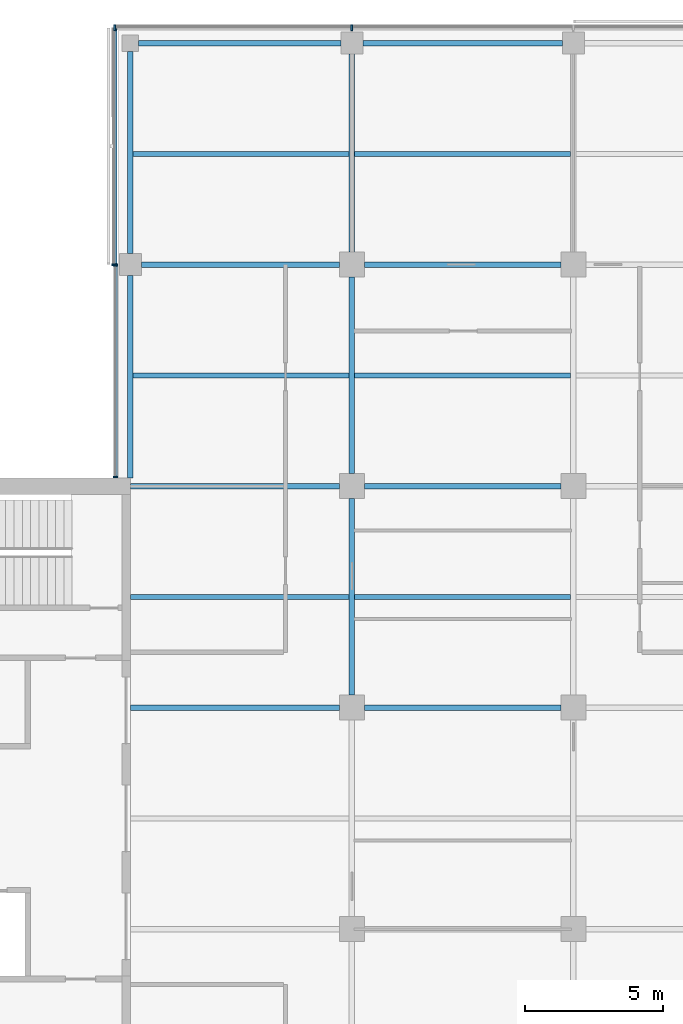
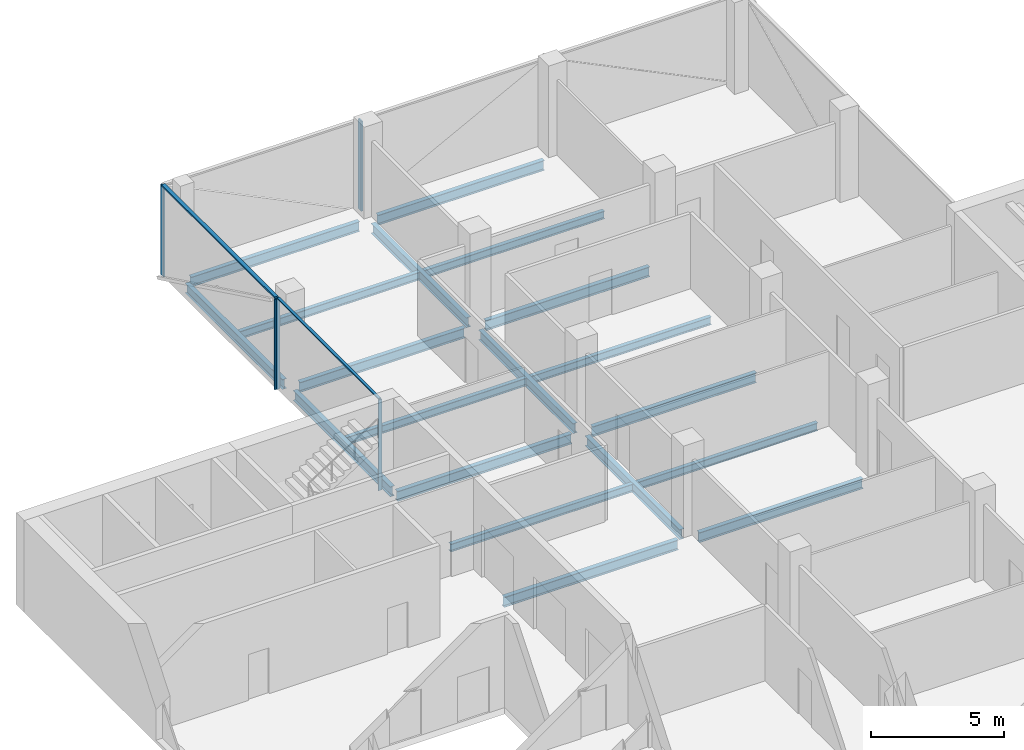
# One storey, part 5 of 15: 19 beams, 7 members, 3 elements without a shape of their own.
"""IFC4 building model written with IfcOpenShell, lengths in metres."""

from ifc_helpers import new_model, si_unit, direction, frame, origin, origin_2d, place, context, subcontext, project, spatial, rectangle, i_section, extrude, material, material_profile, profile_set, type_object, element, aggregate, save


model = new_model("IFC4")

# Units and contexts
model_context = context("Model", 3, precision=1e-05, world=origin(), true_north=direction((0.0, 1.0)))
body_context = subcontext(model_context, "Body", "Model", "MODEL_VIEW")
ifc_project = project(units=[si_unit("LENGTHUNIT", "METRE"), si_unit("AREAUNIT", "SQUARE_METRE"), si_unit("VOLUMEUNIT", "CUBIC_METRE"), si_unit("PLANEANGLEUNIT", "RADIAN"), si_unit("MASSUNIT", "GRAM", prefix="KILO")], contexts=[model_context])

# Site, building, storey
site_placement = place(None, origin())
site = spatial("IfcSite", under=ifc_project, at=site_placement, CompositionType="ELEMENT")
building_placement = place(site_placement, origin())
building = spatial("IfcBuilding", under=site, at=building_placement, Name="Crosswind Convention Tower", CompositionType="ELEMENT")
storey_placement = place(building_placement, frame((0.0, 0.0, 204.10009765625)))
storey = spatial("IfcBuildingStorey", under=building, at=storey_placement, Name="L43", CompositionType="ELEMENT", Elevation=204.10009765625)

# Beams
ifc_material_1 = material(Name="Steel S355", Category="steel")
ifc_material_profile_1 = material_profile(ifc_material_1, i_section(OverallWidth=0.18994140625, OverallDepth=0.45361328125, WebThickness=0.008544921875, FlangeThickness=0.0126953125, FilletRadius=0.01025390625, at=origin_2d()), Name="UB 457x191x67")
ifc_profile_set_1 = profile_set([ifc_material_profile_1], Name="Steel S355")
beam_type_1 = type_object("IfcBeamType", Name="Edge beam UB 457x191x67", PredefinedType="SPANDREL", material=ifc_profile_set_1)
for number, where, z_axis, x_axis, name in (
    (1, (113.0, 112.300048828125, -0.52685546875), (0.0, 1.0, 0.0), (-1.0, 0.0, 0.0), "B16 L43 edge beam 3"),
    (2, (113.0, 120.39990234375, -0.52685546875), (0.0, 1.0, 0.0), (-1.0, 0.0, 0.0), "B16 L43 edge beam 4"),
    (3, (113.300048828125, 128.0, -0.52685546875), (1.0, 0.0, 0.0), (0.0, 1.0, 0.0), "B16 L43 edge beam 6"),
):
    element("IfcBeam", number, at=place(storey_placement, frame(where, z_axis=z_axis, x_axis=x_axis)), inside=storey, type_object=beam_type_1, Name=name, PredefinedType="SPANDREL", context=body_context, shape_type="SweptSolid", body=[
        extrude(i_section(OverallWidth=0.18994140625, OverallDepth=0.45361328125, WebThickness=0.008544921875, FlangeThickness=0.0126953125, FilletRadius=0.01025390625, at=origin_2d()), origin(), (0.0, 0.0, 1.0), 7.300048828125),
    ])
beam_1_placement = place(storey_placement, frame((121.39990234375, 128.0, -0.52685546875), z_axis=(1.0, 0.0, 0.0), x_axis=(0.0, 1.0, 0.0)))
element("IfcBeam", 4, at=beam_1_placement, inside=storey, type_object=beam_type_1, Name="B16 L43 edge beam 8", PredefinedType="SPANDREL", context=body_context, shape_type="SweptSolid", body=[
    extrude(i_section(OverallWidth=0.18994140625, OverallDepth=0.45361328125, WebThickness=0.008544921875, FlangeThickness=0.0126953125, FilletRadius=0.01025390625, at=origin_2d()), origin(), (0.0, 0.0, 1.0), 7.2001953125),
])
ifc_material_profile_2 = material_profile(ifc_material_1, i_section(OverallWidth=0.1904296875, OverallDepth=0.457275390625, WebThickness=0.009033203125, FlangeThickness=0.014404296875, FilletRadius=0.01025390625, at=origin_2d()), Name="UB 457x191x75")
ifc_profile_set_2 = profile_set([ifc_material_profile_2], Name="Steel S355")
beam_type_2 = type_object("IfcBeamType", Name="Girder UB 457x191x75", PredefinedType="BEAM", material=ifc_profile_set_2)
beam_2_placement = place(storey_placement, frame((113.39990234375, 120.0, -0.52880859375), z_axis=(1.0, 0.0, 0.0), x_axis=(0.0, 1.0, 0.0)))
element("IfcBeam", 5, at=beam_2_placement, inside=storey, type_object=beam_type_2, Name="B2 L43 girder 2", PredefinedType="BEAM", context=body_context, shape_type="SweptSolid", body=[
    extrude(i_section(OverallWidth=0.1904296875, OverallDepth=0.457275390625, WebThickness=0.009033203125, FlangeThickness=0.014404296875, FilletRadius=0.01025390625, at=origin_2d()), origin(), (0.0, 0.0, 1.0), 7.150146484375),
])
for number, where, z_axis, x_axis, name in (
    (6, (121.0, 104.449951171875, -0.52880859375), (0.0, 1.0, 0.0), (-1.0, 0.0, 0.0), "B2 L43 girder 7"),
    (7, (121.0, 112.449951171875, -0.52880859375), (0.0, 1.0, 0.0), (-1.0, 0.0, 0.0), "B2 L43 girder 8"),
):
    element("IfcBeam", number, at=place(storey_placement, frame(where, z_axis=z_axis, x_axis=x_axis)), inside=storey, type_object=beam_type_2, Name=name, PredefinedType="BEAM", context=body_context, shape_type="SweptSolid", body=[
        extrude(i_section(OverallWidth=0.1904296875, OverallDepth=0.457275390625, WebThickness=0.009033203125, FlangeThickness=0.014404296875, FilletRadius=0.01025390625, at=origin_2d()), origin(), (0.0, 0.0, 1.0), 7.10009765625),
    ])
beam_3_placement = place(storey_placement, frame((121.0, 120.449951171875, -0.52880859375), z_axis=(0.0, 1.0, 0.0), x_axis=(-1.0, 0.0, 0.0)))
element("IfcBeam", 8, at=beam_3_placement, inside=storey, type_object=beam_type_2, Name="B2 L43 girder 9", PredefinedType="BEAM", context=body_context, shape_type="SweptSolid", body=[
    extrude(i_section(OverallWidth=0.1904296875, OverallDepth=0.457275390625, WebThickness=0.009033203125, FlangeThickness=0.014404296875, FilletRadius=0.01025390625, at=origin_2d()), origin(), (0.0, 0.0, 1.0), 7.150146484375),
])
for number, where, z_axis, x_axis, name in (
    (9, (121.449951171875, 104.0, -0.52880859375), (1.0, 0.0, 0.0), (0.0, 1.0, 0.0), "B2 L43 girder 13"),
    (10, (121.449951171875, 112.0, -0.52880859375), (1.0, 0.0, 0.0), (0.0, 1.0, 0.0), "B2 L43 girder 14"),
    (11, (121.449951171875, 120.0, -0.52880859375), (1.0, 0.0, 0.0), (0.0, 1.0, 0.0), "B2 L43 girder 15"),
):
    element("IfcBeam", number, at=place(storey_placement, frame(where, z_axis=z_axis, x_axis=x_axis)), inside=storey, type_object=beam_type_2, Name=name, PredefinedType="BEAM", context=body_context, shape_type="SweptSolid", body=[
        extrude(i_section(OverallWidth=0.1904296875, OverallDepth=0.457275390625, WebThickness=0.009033203125, FlangeThickness=0.014404296875, FilletRadius=0.01025390625, at=origin_2d()), origin(), (0.0, 0.0, 1.0), 7.10009765625),
    ])
ifc_material_profile_3 = material_profile(ifc_material_1, i_section(OverallWidth=0.19140625, OverallDepth=0.460205078125, WebThickness=0.010009765625, FlangeThickness=0.01611328125, FilletRadius=0.01025390625, at=origin_2d()), Name="UB 457x191x82")
ifc_profile_set_3 = profile_set([ifc_material_profile_3], Name="Steel S355")
beam_type_3 = type_object("IfcBeamType", Name="Girder at core wall UB 457x191x82", PredefinedType="BEAM", material=ifc_profile_set_3)
for number, where, z_axis, x_axis, name in (
    (12, (113.0, 104.0, -0.5302734375), (1.0, 0.0, 0.0), (0.0, 1.0, 0.0), "B23 L43 girder at core wall 3"),
    (13, (113.0, 112.0, -0.5302734375), (1.0, 0.0, 0.0), (0.0, 1.0, 0.0), "B23 L43 girder at core wall 4"),
):
    element("IfcBeam", number, at=place(storey_placement, frame(where, z_axis=z_axis, x_axis=x_axis)), inside=storey, type_object=beam_type_3, Name=name, PredefinedType="BEAM", context=body_context, shape_type="SweptSolid", body=[
        extrude(i_section(OverallWidth=0.19140625, OverallDepth=0.460205078125, WebThickness=0.010009765625, FlangeThickness=0.01611328125, FilletRadius=0.01025390625, at=origin_2d()), origin(), (0.0, 0.0, 1.0), 7.550048828125),
    ])

# Curtain wall, members
ifc_material_2 = material(Name="Aluminium unitised curtain wall", Category="aluminium")
curtain_wall_type_1 = type_object("IfcCurtainWallType", Name="CORE END SLOT WALL 160", PredefinedType="USERDEFINED", material=ifc_material_2)
curtain_wall_1_placement = place(storey_placement, origin())
curtain_wall_1 = element("IfcCurtainWall", 14, at=curtain_wall_1_placement, inside=storey, type_object=curtain_wall_type_1, Name="CW6 L43 N-W.1-2 slot", ObjectType="UNITISED", PredefinedType="USERDEFINED")
ifc_material_3 = material(Name="Aluminium mullion", Category="aluminium")
ifc_material_profile_4 = material_profile(ifc_material_3, rectangle(XDim=0.159912109375, YDim=0.050048828125, at=origin_2d()), Name="AL 160X50")
ifc_profile_set_4 = profile_set([ifc_material_profile_4], Name="Aluminium mullion")
member_type_1 = type_object("IfcMemberType", Name="MULLION 50X160", PredefinedType="MULLION", material=ifc_profile_set_4)
member_1_placement = place(storey_placement, frame((112.469970703125, 119.97509765625, -0.300048828125), z_axis=(0.0, 0.0, 1.0), x_axis=(-1.0, 0.0, 0.0)))
member_1 = element("IfcMember", 15, at=member_1_placement, type_object=member_type_1, Name="CW6 mullion 1", PredefinedType="MULLION", context=body_context, shape_type="SweptSolid", body=[
    extrude(rectangle(XDim=0.159912109375, YDim=0.050048828125, at=origin_2d()), origin(), (0.0, 0.0, 1.0), 4.14990234375),
])
member_2_placement = place(storey_placement, frame((112.469970703125, 112.324951171875, -0.300048828125), z_axis=(0.0, 0.0, 1.0), x_axis=(-1.0, 0.0, 0.0)))
member_2 = element("IfcMember", 16, at=member_2_placement, type_object=member_type_1, Name="CW6 mullion 2", PredefinedType="MULLION", context=body_context, shape_type="SweptSolid", body=[
    extrude(rectangle(XDim=0.159912109375, YDim=0.050048828125, at=origin_2d()), origin(), (0.0, 0.0, 1.0), 4.14990234375),
])

curtain_wall_type_2 = type_object("IfcCurtainWallType", Name="OFFICE UNITISED WALL 220", PredefinedType="USERDEFINED", material=ifc_material_2)
curtain_wall_2_placement = place(storey_placement, origin())
curtain_wall_2 = element("IfcCurtainWall", 17, at=curtain_wall_2_placement, inside=storey, type_object=curtain_wall_type_2, Name="CW3 L43 N-TIP 1", ObjectType="UNITISED", PredefinedType="USERDEFINED")
ifc_material_profile_5 = material_profile(ifc_material_3, rectangle(XDim=0.219970703125, YDim=0.070068359375, at=origin_2d()), Name="AL 220X70")
ifc_profile_set_5 = profile_set([ifc_material_profile_5], Name="Aluminium mullion")
member_type_2 = type_object("IfcMemberType", Name="MULLION 70X220", PredefinedType="MULLION", material=ifc_profile_set_5)
member_3_placement = place(storey_placement, frame((121.0, 128.56005859375, -0.300048828125), z_axis=(0.0, 0.0, 1.0), x_axis=(0.0, 1.0, 0.0)))
member_3 = element("IfcMember", 18, at=member_3_placement, type_object=member_type_2, Name="CW3 mullion 3", PredefinedType="MULLION", context=body_context, shape_type="SweptSolid", body=[
    extrude(rectangle(XDim=0.219970703125, YDim=0.070068359375, at=origin_2d()), origin(), (0.0, 0.0, 1.0), 4.1298828125),
])
member_4_placement = place(storey_placement, frame((112.43994140625, 128.56005859375, -0.300048828125), z_axis=(0.0, 0.0, 1.0), x_axis=(0.0, 1.0, 0.0)))
member_4 = element("IfcMember", 19, at=member_4_placement, type_object=member_type_2, Name="CW3 mullion 4", PredefinedType="MULLION", context=body_context, shape_type="SweptSolid", body=[
    extrude(rectangle(XDim=0.219970703125, YDim=0.070068359375, at=origin_2d()), origin(), (0.0, 0.0, 1.0), 4.1298828125),
])
aggregate(curtain_wall_2, [member_3, member_4])

# Curtain wall, member
curtain_wall_3_placement = place(storey_placement, origin())
curtain_wall_3 = element("IfcCurtainWall", 20, at=curtain_wall_3_placement, inside=storey, type_object=curtain_wall_type_2, Name="CW3 L43 N-W 1", ObjectType="UNITISED", PredefinedType="USERDEFINED")
member_5_placement = place(storey_placement, frame((112.43994140625, 120.0, -0.300048828125), z_axis=(0.0, 0.0, 1.0), x_axis=(-1.0, 0.0, 0.0)))
member_5 = element("IfcMember", 21, at=member_5_placement, type_object=member_type_2, Name="CW3 mullion 2", PredefinedType="MULLION", context=body_context, shape_type="SweptSolid", body=[
    extrude(rectangle(XDim=0.219970703125, YDim=0.070068359375, at=origin_2d()), origin(), (0.0, 0.0, 1.0), 4.1298828125),
])

# Beams
ifc_material_profile_6 = material_profile(ifc_material_1, i_section(OverallWidth=0.172119140625, OverallDepth=0.358642578125, WebThickness=0.008056640625, FlangeThickness=0.012939453125, FilletRadius=0.01025390625, at=origin_2d()), Name="UB 356x171x57")
ifc_profile_set_6 = profile_set([ifc_material_profile_6], Name="Steel S355")
beam_type_4 = type_object("IfcBeamType", Name="Secondary beam UB 356x171x57", PredefinedType="JOIST", material=ifc_profile_set_6)
beam_4_placement = place(storey_placement, frame((113.0, 108.0, -0.4794921875), z_axis=(1.0, 0.0, 0.0), x_axis=(0.0, 1.0, 0.0)))
element("IfcBeam", 22, at=beam_4_placement, inside=storey, type_object=beam_type_4, Name="B9 L43 secondary beam 3", PredefinedType="JOIST", context=body_context, shape_type="SweptSolid", body=[
    extrude(i_section(OverallWidth=0.172119140625, OverallDepth=0.358642578125, WebThickness=0.008056640625, FlangeThickness=0.012939453125, FilletRadius=0.01025390625, at=origin_2d()), origin(), (0.0, 0.0, 1.0), 7.90478515625),
])
for number, where, z_axis, x_axis, name in (
    (23, (113.094970703125, 116.0, -0.4794921875), (1.0, 0.0, 0.0), (0.0, 1.0, 0.0), "B9 L43 secondary beam 6"),
    (24, (113.094970703125, 124.0, -0.4794921875), (1.0, 0.0, 0.0), (0.0, 1.0, 0.0), "B9 L43 secondary beam 7"),
):
    element("IfcBeam", number, at=place(storey_placement, frame(where, z_axis=z_axis, x_axis=x_axis)), inside=storey, type_object=beam_type_4, Name=name, PredefinedType="JOIST", context=body_context, shape_type="SweptSolid", body=[
        extrude(i_section(OverallWidth=0.172119140625, OverallDepth=0.358642578125, WebThickness=0.008056640625, FlangeThickness=0.012939453125, FilletRadius=0.01025390625, at=origin_2d()), origin(), (0.0, 0.0, 1.0), 7.809814453125),
    ])
for number, where, z_axis, x_axis, name in (
    (25, (121.09521484375, 108.0, -0.4794921875), (1.0, 0.0, 0.0), (0.0, 1.0, 0.0), "B9 L43 secondary beam 12"),
    (26, (121.09521484375, 116.0, -0.4794921875), (1.0, 0.0, 0.0), (0.0, 1.0, 0.0), "B9 L43 secondary beam 13"),
    (27, (121.09521484375, 124.0, -0.4794921875), (1.0, 0.0, 0.0), (0.0, 1.0, 0.0), "B9 L43 secondary beam 14"),
):
    element("IfcBeam", number, at=place(storey_placement, frame(where, z_axis=z_axis, x_axis=x_axis)), inside=storey, type_object=beam_type_4, Name=name, PredefinedType="JOIST", context=body_context, shape_type="SweptSolid", body=[
        extrude(i_section(OverallWidth=0.172119140625, OverallDepth=0.358642578125, WebThickness=0.008056640625, FlangeThickness=0.012939453125, FilletRadius=0.01025390625, at=origin_2d()), origin(), (0.0, 0.0, 1.0), 7.8095703125),
    ])

# Member
ifc_material_4 = material(Name="Aluminium transom", Category="aluminium")
ifc_material_profile_7 = material_profile(ifc_material_4, rectangle(XDim=0.1201171875, YDim=0.050048828125, at=origin_2d()), Name="AL 120X50")
ifc_profile_set_7 = profile_set([ifc_material_profile_7], Name="Aluminium transom")
member_type_3 = type_object("IfcMemberType", Name="TRANSOM 50X120", PredefinedType="USERDEFINED", material=ifc_profile_set_7)
member_6_placement = place(storey_placement, frame((112.469970703125, 119.949951171875, 3.875), z_axis=(0.0, -1.0, 0.0), x_axis=(1.0, 0.0, 0.0)))
member_6 = element("IfcMember", 28, at=member_6_placement, type_object=member_type_3, Name="CW6 transom", ObjectType="TRANSOM", PredefinedType="USERDEFINED", context=body_context, shape_type="SweptSolid", body=[
    extrude(rectangle(XDim=0.1201171875, YDim=0.050048828125, at=origin_2d()), origin(), (0.0, 0.0, 1.0), 7.599853515625),
])

aggregate(curtain_wall_1, [member_1, member_2, member_6])

ifc_material_profile_8 = material_profile(ifc_material_4, rectangle(XDim=0.159912109375, YDim=0.070068359375, at=origin_2d()), Name="AL 160X70")
ifc_profile_set_8 = profile_set([ifc_material_profile_8], Name="Aluminium transom")
member_type_4 = type_object("IfcMemberType", Name="TRANSOM 70X160", PredefinedType="USERDEFINED", material=ifc_profile_set_8)
member_7_placement = place(storey_placement, frame((112.43994140625, 128.52490234375, 3.864990234375), z_axis=(0.0, -1.0, 0.0), x_axis=(1.0, 0.0, 0.0)))
member_7 = element("IfcMember", 29, at=member_7_placement, type_object=member_type_4, Name="CW3 transom", ObjectType="TRANSOM", PredefinedType="USERDEFINED", context=body_context, shape_type="SweptSolid", body=[
    extrude(rectangle(XDim=0.159912109375, YDim=0.070068359375, at=origin_2d()), origin(), (0.0, 0.0, 1.0), 8.489990234375),
])

aggregate(curtain_wall_3, [member_5, member_7])

save(model, "model.ifc")
